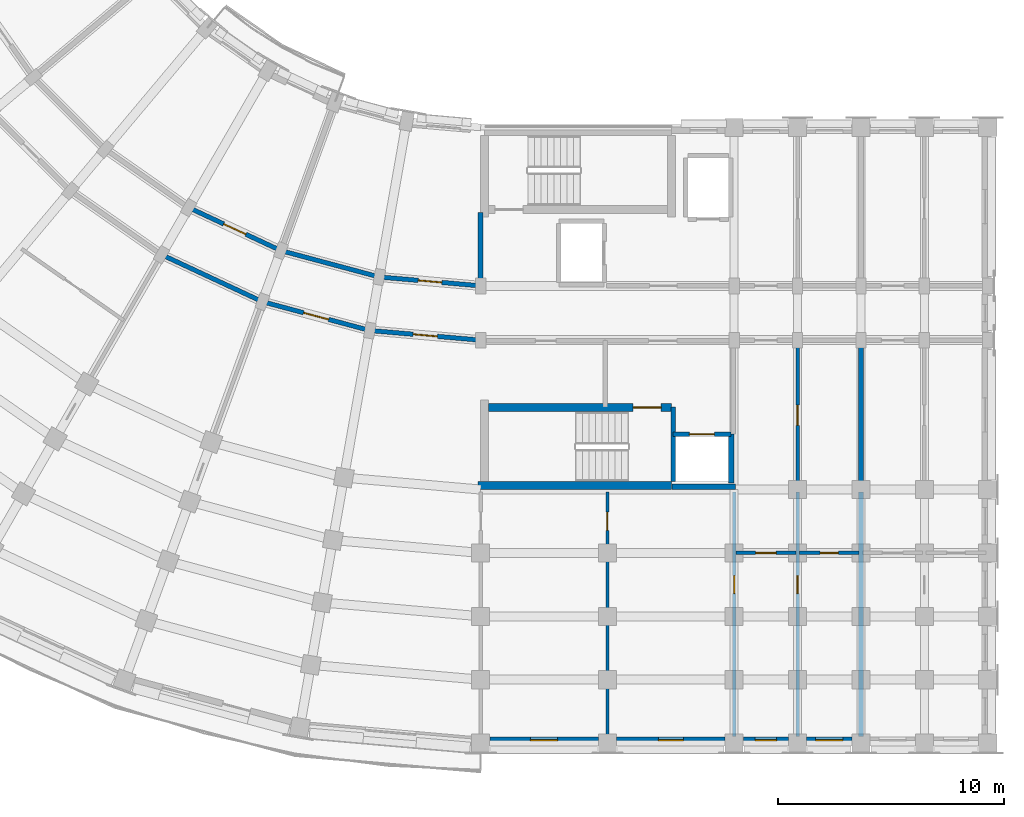
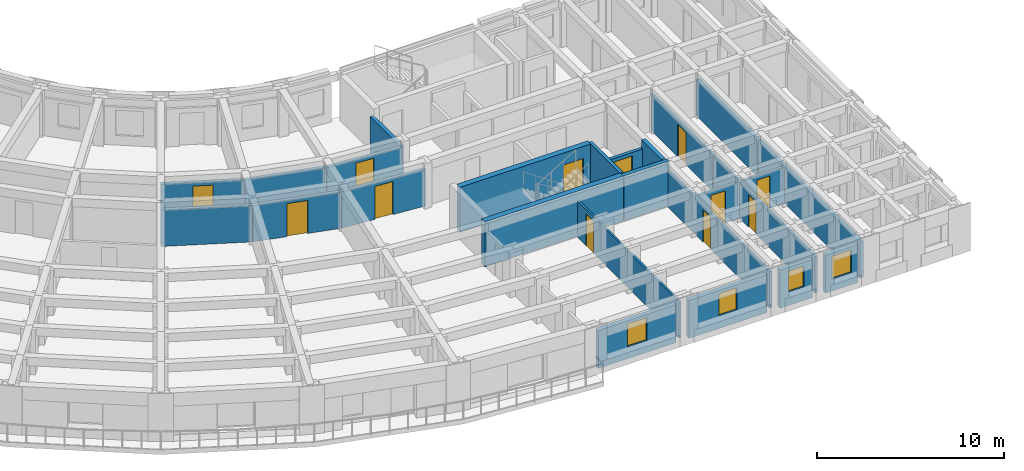
# One storey, part 16 of 54: 25 walls, 12 doors, 4 windows, 16 openings.
"""IFC4 building model written with IfcOpenShell, lengths in metres."""

from ifc_helpers import new_model, si_unit, direction, frame, frame_2d, origin, place, context, subcontext, project, spatial, rectangle, extrude, material, layer, layer_set, type_object, element, fill, save


model = new_model("IFC4")

# Units and contexts
model_context = context("Model", 3, precision=1e-05, world=origin(), true_north=direction((0.0, 1.0)))
body_context = subcontext(model_context, "Body", "Model", "MODEL_VIEW")
ifc_project = project(units=[si_unit("LENGTHUNIT", "METRE"), si_unit("AREAUNIT", "SQUARE_METRE"), si_unit("VOLUMEUNIT", "CUBIC_METRE"), si_unit("PLANEANGLEUNIT", "RADIAN"), si_unit("MASSUNIT", "GRAM", prefix="KILO")], contexts=[model_context])

# Site, building, storey
site_placement = place(None, origin())
site = spatial("IfcSite", under=ifc_project, at=site_placement, CompositionType="ELEMENT")
building_placement = place(site_placement, origin())
building = spatial("IfcBuilding", under=site, at=building_placement, Name="Kiranvali Square Residences", CompositionType="ELEMENT")
storey_placement = place(building_placement, frame((0.0, 0.0, 15.0)))
storey = spatial("IfcBuildingStorey", under=building, at=storey_placement, Name="L04", CompositionType="ELEMENT", Elevation=15.0)

# Wall, opening, door
ifc_material_1 = material(Name="Autoclaved aerated concrete blockwork masonry", Category="masonry")
ifc_layer_1 = layer(ifc_material_1, 0.199951171875)
ifc_layer_set_1 = layer_set([ifc_layer_1], Name="Autoclaved aerated concrete blockwork masonry")
wall_type_1 = type_object("IfcWallType", Name="WL-COR-200", PredefinedType="STANDARD", material=ifc_layer_set_1)
wall_1_placement = place(storey_placement, frame((48.199951171875, 22.39990234375, 0.0), z_axis=(0.0, 0.0, 1.0), x_axis=(-0.996191949488, 0.087187153726, 0.0)))
wall_1 = element("IfcWall", 1, at=wall_1_placement, inside=storey, type_object=wall_type_1, Name="L04 architectural wall WL-L04-C-CCI-0", PredefinedType="STANDARD", context=body_context, shape_type="SweptSolid", body=[
    extrude(rectangle(XDim=4.4970703125, YDim=0.199951171875, at=frame_2d((2.24853515625, 0.0))), origin(), (0.0, 0.0, 1.0), 2.3720703125),
])
opening_1_placement = place(wall_1_placement, frame((1.728515625, 0.0, 0.0)))
opening_1 = element("IfcOpeningElement", 2, at=opening_1_placement, cuts=wall_1, Name="Opening FD-APT-60B", PredefinedType="OPENING", context=body_context, shape_type="SweptSolid", body=[
    extrude(rectangle(XDim=1.0400390625, YDim=2.14990234375, at=frame_2d((0.52001953125, 1.074951171875))), frame((0.0, 0.10986328125, 0.0), z_axis=(0.0, -1.0, 0.0), x_axis=(1.0, 0.0, 0.0)), (0.0, 0.0, 1.0), 0.219970703125),
])
ifc_material_2 = material(Name="Fire-rated acoustic hardwood and mineral-core door assembly", Category="wood")
door_type_1 = type_object("IfcDoorType", Name="DR-APT-1040", OperationType="NOTDEFINED", PredefinedType="DOOR", material=ifc_material_2)
door_1_placement = place(opening_1_placement, frame((1.0400390625, 0.0, 0.0), z_axis=(0.0, 0.0, 1.0), x_axis=(-1.0, 0.0, 0.0)))
door_1 = element("IfcDoor", 3, at=door_1_placement, inside=storey, type_object=door_type_1, Name="L04 door DR-L04-2006 (DR-APT-1040)", OperationType="SINGLE_SWING_RIGHT", OverallHeight=2.14990234375, OverallWidth=1.0400390625, PredefinedType="DOOR", context=body_context, shape_type="SweptSolid", body=[
    extrude(rectangle(XDim=1.0400390625, YDim=2.14990234375, at=frame_2d((0.52001953125, 1.074951171875))), frame((0.0, 0.02490234375, 0.0), z_axis=(0.0, -1.0, 0.0), x_axis=(1.0, 0.0, 0.0)), (0.0, 0.0, 1.0), 0.050048828125),
])
fill(opening_1, door_1)

wall_2_placement = place(storey_placement, frame((48.199951171875, 20.0, 0.0), z_axis=(0.0, 0.0, 1.0), x_axis=(-0.996193663584, 0.087167566415, 0.0)))
wall_2 = element("IfcWall", 4, at=wall_2_placement, inside=storey, type_object=wall_type_1, Name="L04 architectural wall WL-L04-C-CCO-0", PredefinedType="STANDARD", context=body_context, shape_type="SweptSolid", body=[
    extrude(rectangle(XDim=4.91552734375, YDim=0.199951171875, at=frame_2d((2.457763671875, 0.0))), origin(), (0.0, 0.0, 1.0), 2.3720703125),
])
opening_2_placement = place(wall_2_placement, frame((1.917724609375, 0.0, 0.0)))
opening_2 = element("IfcOpeningElement", 5, at=opening_2_placement, cuts=wall_2, Name="Opening FD-APT-60C", PredefinedType="OPENING", context=body_context, shape_type="SweptSolid", body=[
    extrude(rectangle(XDim=1.080078125, YDim=2.14990234375, at=frame_2d((0.5400390625, 1.074951171875))), frame((0.0, 0.10986328125, 0.0), z_axis=(0.0, -1.0, 0.0), x_axis=(1.0, 0.0, 0.0)), (0.0, 0.0, 1.0), 0.219970703125),
])
door_type_2 = type_object("IfcDoorType", Name="DR-APT-1080", OperationType="NOTDEFINED", PredefinedType="DOOR", material=ifc_material_2)
door_2_placement = place(opening_2_placement, origin())
door_2 = element("IfcDoor", 6, at=door_2_placement, inside=storey, type_object=door_type_2, Name="L04 door DR-L04-1999 (DR-APT-1080)", OperationType="SINGLE_SWING_LEFT", OverallHeight=2.14990234375, OverallWidth=1.080078125, PredefinedType="DOOR", context=body_context, shape_type="SweptSolid", body=[
    extrude(rectangle(XDim=1.080078125, YDim=2.14990234375, at=frame_2d((0.5400390625, 1.074951171875))), frame((0.0, 0.02490234375, 0.0), z_axis=(0.0, -1.0, 0.0), x_axis=(1.0, 0.0, 0.0)), (0.0, 0.0, 1.0), 0.050048828125),
])
fill(opening_2, door_2)

# Wall
wall_3_placement = place(storey_placement, frame((43.719970703125, 22.7919921875, 0.0), z_axis=(0.0, 0.0, 1.0), x_axis=(-0.965934240054, 0.258787642463, 0.0)))
element("IfcWall", 7, at=wall_3_placement, inside=storey, type_object=wall_type_1, Name="L04 architectural wall WL-L04-C-CCI-1", PredefinedType="STANDARD", context=body_context, shape_type="SweptSolid", body=[
    extrude(rectangle(XDim=4.497314453125, YDim=0.199951171875, at=frame_2d((2.24853515625, 0.0))), origin(), (0.0, 0.0, 1.0), 2.3720703125),
])

# Wall, opening, door
wall_4_placement = place(storey_placement, frame((43.30322265625, 20.428466796875, 0.0), z_axis=(0.0, 0.0, 1.0), x_axis=(-0.965930095386, 0.258803112091, 0.0)))
wall_4 = element("IfcWall", 8, at=wall_4_placement, inside=storey, type_object=wall_type_1, Name="L04 architectural wall WL-L04-C-CCO-1", PredefinedType="STANDARD", context=body_context, shape_type="SweptSolid", body=[
    extrude(rectangle(XDim=4.915771484375, YDim=0.199951171875, at=frame_2d((2.4580078125, 0.0))), origin(), (0.0, 0.0, 1.0), 2.3720703125),
])
opening_3_placement = place(wall_4_placement, frame((1.8876953125, 0.0, 0.0)))
opening_3 = element("IfcOpeningElement", 9, at=opening_3_placement, cuts=wall_4, Name="Opening FD-APT-60D", PredefinedType="OPENING", context=body_context, shape_type="SweptSolid", body=[
    extrude(rectangle(XDim=1.139892578125, YDim=2.14990234375, at=frame_2d((0.56982421875, 1.074951171875))), frame((0.0, 0.10986328125, 0.0), z_axis=(0.0, -1.0, 0.0), x_axis=(1.0, 0.0, 0.0)), (0.0, 0.0, 1.0), 0.219970703125),
])
door_type_3 = type_object("IfcDoorType", Name="DR-APT-1140", OperationType="NOTDEFINED", PredefinedType="DOOR", material=ifc_material_2)
door_3_placement = place(opening_3_placement, frame((1.139892578125, 0.0, 0.0), z_axis=(0.0, 0.0, 1.0), x_axis=(-1.0, 0.0, 0.0)))
door_3 = element("IfcDoor", 10, at=door_3_placement, inside=storey, type_object=door_type_3, Name="L04 door DR-L04-2000 (DR-APT-1140)", OperationType="SINGLE_SWING_RIGHT", OverallHeight=2.14990234375, OverallWidth=1.139892578125, PredefinedType="DOOR", context=body_context, shape_type="SweptSolid", body=[
    extrude(rectangle(XDim=1.139892578125, YDim=2.14990234375, at=frame_2d((0.56982421875, 1.074951171875))), frame((0.0, 0.02490234375, 0.0), z_axis=(0.0, -1.0, 0.0), x_axis=(1.0, 0.0, 0.0)), (0.0, 0.0, 1.0), 0.050048828125),
])
fill(opening_3, door_3)

wall_5_placement = place(storey_placement, frame((39.3759765625, 23.955810546875, 0.0), z_axis=(0.0, 0.0, 1.0), x_axis=(-0.906307919131, 0.422617978463, 0.0)))
wall_5 = element("IfcWall", 11, at=wall_5_placement, inside=storey, type_object=wall_type_1, Name="L04 architectural wall WL-L04-C-CCI-2", PredefinedType="STANDARD", context=body_context, shape_type="SweptSolid", body=[
    extrude(rectangle(XDim=4.497314453125, YDim=0.199951171875, at=frame_2d((2.24853515625, 0.0))), origin(), (0.0, 0.0, 1.0), 2.3720703125),
])
opening_4_placement = place(wall_5_placement, frame((1.708740234375, 0.0, 0.0)))
opening_4 = element("IfcOpeningElement", 12, at=opening_4_placement, cuts=wall_5, Name="Opening FD-APT-60C", PredefinedType="OPENING", context=body_context, shape_type="SweptSolid", body=[
    extrude(rectangle(XDim=1.080078125, YDim=2.14990234375, at=frame_2d((0.5400390625, 1.074951171875))), frame((0.0, 0.10986328125, 0.0), z_axis=(0.0, -1.0, 0.0), x_axis=(1.0, 0.0, 0.0)), (0.0, 0.0, 1.0), 0.219970703125),
])
door_4_placement = place(opening_4_placement, origin())
door_4 = element("IfcDoor", 13, at=door_4_placement, inside=storey, type_object=door_type_2, Name="L04 door DR-L04-2007 (DR-APT-1080)", OperationType="SINGLE_SWING_LEFT", OverallHeight=2.14990234375, OverallWidth=1.080078125, PredefinedType="DOOR", context=body_context, shape_type="SweptSolid", body=[
    extrude(rectangle(XDim=1.080078125, YDim=2.14990234375, at=frame_2d((0.5400390625, 1.074951171875))), frame((0.0, 0.02490234375, 0.0), z_axis=(0.0, -1.0, 0.0), x_axis=(1.0, 0.0, 0.0)), (0.0, 0.0, 1.0), 0.050048828125),
])
fill(opening_4, door_4)

# Walls
wall_6_placement = place(storey_placement, frame((38.554931640625, 21.70068359375, 0.0), z_axis=(0.0, 0.0, 1.0), x_axis=(-0.906302381024, 0.422629854778, 0.0)))
element("IfcWall", 14, at=wall_6_placement, inside=storey, type_object=wall_type_1, Name="L04 architectural wall WL-L04-C-CCO-2", PredefinedType="STANDARD", context=body_context, shape_type="SweptSolid", body=[
    extrude(rectangle(XDim=4.915283203125, YDim=0.199951171875, at=frame_2d((2.45751953125, 0.0))), origin(), (0.0, 0.0, 1.0), 2.3720703125),
])
ifc_layer_2 = layer(ifc_material_1, 0.219970703125)
ifc_layer_set_2 = layer_set([ifc_layer_2], Name="Autoclaved aerated concrete blockwork masonry")
wall_type_2 = type_object("IfcWallType", Name="WL-DEM-220", PredefinedType="STANDARD", material=ifc_layer_set_2)
wall_7_placement = place(storey_placement, frame((65.0, 19.949951171875, 0.0), z_axis=(0.0, 0.0, 1.0), x_axis=(0.0, -1.0, 0.0)))
element("IfcWall", 15, at=wall_7_placement, inside=storey, type_object=wall_type_2, Name="L04 architectural wall WL-L04-C-A1TO1-2", PredefinedType="STANDARD", context=body_context, shape_type="SweptSolid", body=[
    extrude(rectangle(XDim=6.530029296875, YDim=0.219970703125, at=frame_2d((3.26513671875, 0.0))), origin(), (0.0, 0.0, 1.0), 2.3720703125),
])
wall_8_placement = place(storey_placement, frame((65.0, 13.300048828125, 0.0), z_axis=(0.0, 0.0, 1.0), x_axis=(0.0, -1.0, 0.0)))
element("IfcWall", 16, at=wall_8_placement, inside=storey, type_object=wall_type_2, Name="L04 architectural wall WL-L04-C-A1TO2-2", PredefinedType="STANDARD", context=body_context, shape_type="SweptSolid", body=[
    extrude(rectangle(XDim=10.820068359375, YDim=0.219970703125, at=frame_2d((5.41015625, 0.0))), origin(), (0.0, 0.0, 1.0), 2.3720703125),
])
wall_9_placement = place(storey_placement, frame((48.199951171875, 25.64990234375, 0.0), z_axis=(0.0, 0.0, 1.0), x_axis=(0.0, -1.0, 0.0)))
element("IfcWall", 17, at=wall_9_placement, inside=storey, type_object=wall_type_2, Name="L04 architectural wall WL-L04-C-RADI-0", PredefinedType="STANDARD", context=body_context, shape_type="SweptSolid", body=[
    extrude(rectangle(XDim=3.199951171875, YDim=0.219970703125, at=frame_2d((1.60009765625, 0.0))), origin(), (0.0, 0.0, 1.0), 2.3720703125),
])

# Wall, opening, window
ifc_material_3 = material(Name="Breathable lime-rendered clay brick masonry", Category="masonry")
ifc_layer_3 = layer(ifc_material_3, 0.27490234375)
ifc_layer_set_3 = layer_set([ifc_layer_3], Name="Breathable lime-rendered clay brick masonry")
wall_type_3 = type_object("IfcWallType", Name="WL-EXT-275", PredefinedType="STANDARD", material=ifc_layer_set_3)
wall_10_placement = place(storey_placement, frame((48.603515625, 2.324951171875, 0.0), z_axis=(0.0, 0.0, 1.0), x_axis=(1.0, 0.0, 0.0)))
wall_10 = element("IfcWall", 18, at=wall_10_placement, inside=storey, type_object=wall_type_3, Name="L04 exterior wall C-L04-A1O-0", PredefinedType="STANDARD", context=body_context, shape_type="SweptSolid", body=[
    extrude(rectangle(XDim=4.79296875, YDim=0.27490234375, at=frame_2d((2.396484375, 0.0))), origin(), (0.0, 0.0, 1.0), 2.471923828125),
])
opening_5_placement = place(wall_10_placement, frame((1.79638671875, 0.0, 0.77197265625)))
opening_5 = element("IfcOpeningElement", 19, at=opening_5_placement, cuts=wall_10, Name="Opening W-06", PredefinedType="OPENING", context=body_context, shape_type="SweptSolid", body=[
    extrude(rectangle(XDim=1.199951171875, YDim=1.5, at=frame_2d((0.60009765625, 0.75))), frame((0.0, 0.1474609375, 0.0), z_axis=(0.0, -1.0, 0.0), x_axis=(1.0, 0.0, 0.0)), (0.0, 0.0, 1.0), 0.294921875),
])
ifc_material_4 = material(Name="Solar-control low-e double glazing", Category="glass")
window_type_1 = type_object("IfcWindowType", Name="WIN-RES-1200x1500", PartitioningType="SINGLE_PANEL", PredefinedType="WINDOW", material=ifc_material_4)
window_1_placement = place(opening_5_placement, origin())
window_1 = element("IfcWindow", 20, at=window_1_placement, inside=storey, type_object=window_type_1, Name="L04 recessed window C-L04-A1O-0", OverallHeight=1.5, OverallWidth=1.199951171875, PartitioningType="SINGLE_PANEL", PredefinedType="WINDOW", context=body_context, shape_type="SweptSolid", body=[
    extrude(rectangle(XDim=1.199951171875, YDim=1.5, at=frame_2d((0.60009765625, 0.75))), frame((0.0, 0.030029296875, 0.0), z_axis=(0.0, -1.0, 0.0), x_axis=(1.0, 0.0, 0.0)), (0.0, 0.0, 1.0), 0.06005859375),
])
fill(opening_5, window_1)

wall_11_placement = place(storey_placement, frame((54.20361328125, 2.324951171875, 0.0), z_axis=(0.0, 0.0, 1.0), x_axis=(1.0, 0.0, 0.0)))
wall_11 = element("IfcWall", 21, at=wall_11_placement, inside=storey, type_object=wall_type_3, Name="L04 exterior wall C-L04-A1O-1", PredefinedType="STANDARD", context=body_context, shape_type="SweptSolid", body=[
    extrude(rectangle(XDim=4.79296875, YDim=0.27490234375, at=frame_2d((2.396484375, 0.0))), origin(), (0.0, 0.0, 1.0), 2.471923828125),
])
opening_6_placement = place(wall_11_placement, frame((1.846435546875, 0.0, 0.822021484375)))
opening_6 = element("IfcOpeningElement", 22, at=opening_6_placement, cuts=wall_11, Name="Opening W-15", PredefinedType="OPENING", context=body_context, shape_type="SweptSolid", body=[
    extrude(rectangle(XDim=1.10009765625, YDim=1.449951171875, at=frame_2d((0.550048828125, 0.72509765625))), frame((0.0, 0.1474609375, 0.0), z_axis=(0.0, -1.0, 0.0), x_axis=(1.0, 0.0, 0.0)), (0.0, 0.0, 1.0), 0.294921875),
])
window_type_2 = type_object("IfcWindowType", Name="WIN-RES-1100x1450", PartitioningType="SINGLE_PANEL", PredefinedType="WINDOW", material=ifc_material_4)
window_2_placement = place(opening_6_placement, origin())
window_2 = element("IfcWindow", 23, at=window_2_placement, inside=storey, type_object=window_type_2, Name="L04 recessed window C-L04-A1O-1", OverallHeight=1.449951171875, OverallWidth=1.10009765625, PartitioningType="SINGLE_PANEL", PredefinedType="WINDOW", context=body_context, shape_type="SweptSolid", body=[
    extrude(rectangle(XDim=1.10009765625, YDim=1.449951171875, at=frame_2d((0.550048828125, 0.72509765625))), frame((0.0, 0.030029296875, 0.0), z_axis=(0.0, -1.0, 0.0), x_axis=(1.0, 0.0, 0.0)), (0.0, 0.0, 1.0), 0.06005859375),
])
fill(opening_6, window_2)

wall_12_placement = place(storey_placement, frame((59.803466796875, 2.324951171875, 0.0), z_axis=(0.0, 0.0, 1.0), x_axis=(1.0, 0.0, 0.0)))
wall_12 = element("IfcWall", 24, at=wall_12_placement, inside=storey, type_object=wall_type_3, Name="L04 exterior wall C-L04-A1O-2", PredefinedType="STANDARD", context=body_context, shape_type="SweptSolid", body=[
    extrude(rectangle(XDim=1.992919921875, YDim=0.27490234375, at=frame_2d((0.99658203125, 0.0))), origin(), (0.0, 0.0, 1.0), 2.471923828125),
])
opening_7_placement = place(wall_12_placement, frame((0.521484375, 0.0, 0.8798828125)))
opening_7 = element("IfcOpeningElement", 25, at=opening_7_placement, cuts=wall_12, Name="Opening W-16", PredefinedType="OPENING", context=body_context, shape_type="SweptSolid", body=[
    extrude(rectangle(XDim=0.949951171875, YDim=1.35009765625, at=frame_2d((0.47509765625, 0.675048828125))), frame((0.0, 0.1474609375, 0.0), z_axis=(0.0, -1.0, 0.0), x_axis=(1.0, 0.0, 0.0)), (0.0, 0.0, 1.0), 0.294921875),
])
window_type_3 = type_object("IfcWindowType", Name="WIN-RES-950x1350", PartitioningType="SINGLE_PANEL", PredefinedType="WINDOW", material=ifc_material_4)
window_3_placement = place(opening_7_placement, origin())
window_3 = element("IfcWindow", 26, at=window_3_placement, inside=storey, type_object=window_type_3, Name="L04 recessed window C-L04-A1O-2", OverallHeight=1.35009765625, OverallWidth=0.949951171875, PartitioningType="SINGLE_PANEL", PredefinedType="WINDOW", context=body_context, shape_type="SweptSolid", body=[
    extrude(rectangle(XDim=0.949951171875, YDim=1.35009765625, at=frame_2d((0.47509765625, 0.675048828125))), frame((0.0, 0.030029296875, 0.0), z_axis=(0.0, -1.0, 0.0), x_axis=(1.0, 0.0, 0.0)), (0.0, 0.0, 1.0), 0.06005859375),
])
fill(opening_7, window_3)

wall_13_placement = place(storey_placement, frame((62.603515625, 2.324951171875, 0.0), z_axis=(0.0, 0.0, 1.0), x_axis=(1.0, 0.0, 0.0)))
wall_13 = element("IfcWall", 27, at=wall_13_placement, inside=storey, type_object=wall_type_3, Name="L04 exterior wall C-L04-A1O-3", PredefinedType="STANDARD", context=body_context, shape_type="SweptSolid", body=[
    extrude(rectangle(XDim=1.992919921875, YDim=0.27490234375, at=frame_2d((0.99658203125, 0.0))), origin(), (0.0, 0.0, 1.0), 2.471923828125),
])
opening_8_placement = place(wall_13_placement, frame((0.396484375, 0.0, 0.77197265625)))
opening_8 = element("IfcOpeningElement", 28, at=opening_8_placement, cuts=wall_13, Name="Opening W-06", PredefinedType="OPENING", context=body_context, shape_type="SweptSolid", body=[
    extrude(rectangle(XDim=1.199951171875, YDim=1.5, at=frame_2d((0.60009765625, 0.75))), frame((0.0, 0.1474609375, 0.0), z_axis=(0.0, -1.0, 0.0), x_axis=(1.0, 0.0, 0.0)), (0.0, 0.0, 1.0), 0.294921875),
])
window_4_placement = place(opening_8_placement, origin())
window_4 = element("IfcWindow", 29, at=window_4_placement, inside=storey, type_object=window_type_1, Name="L04 recessed window C-L04-A1O-3", OverallHeight=1.5, OverallWidth=1.199951171875, PartitioningType="SINGLE_PANEL", PredefinedType="WINDOW", context=body_context, shape_type="SweptSolid", body=[
    extrude(rectangle(XDim=1.199951171875, YDim=1.5, at=frame_2d((0.60009765625, 0.75))), frame((0.0, 0.030029296875, 0.0), z_axis=(0.0, -1.0, 0.0), x_axis=(1.0, 0.0, 0.0)), (0.0, 0.0, 1.0), 0.06005859375),
])
fill(opening_8, window_4)

# Wall, opening, door
ifc_layer_4 = layer(ifc_material_1, 0.199951171875)
ifc_layer_set_4 = layer_set([ifc_layer_4], Name="Autoclaved aerated concrete blockwork masonry")
wall_type_4 = type_object("IfcWallType", Name="WL-FFL-200", PredefinedType="STANDARD", material=ifc_layer_set_4)
wall_14_placement = place(storey_placement, frame((56.699951171875, 15.85009765625, 0.0), z_axis=(0.0, 0.0, 1.0), x_axis=(1.0, 0.0, 0.0)))
wall_14 = element("IfcWall", 30, at=wall_14_placement, inside=storey, type_object=wall_type_4, Name="L04 architectural wall WL-L04-C-FF-LFT", PredefinedType="STANDARD", context=body_context, shape_type="SweptSolid", body=[
    extrude(rectangle(XDim=2.550048828125, YDim=0.199951171875, at=frame_2d((1.27490234375, 0.0))), origin(), (0.0, 0.0, 1.0), 2.3720703125),
])
opening_9_placement = place(wall_14_placement, frame((0.72509765625, 0.0, 0.0)))
opening_9 = element("IfcOpeningElement", 31, at=opening_9_placement, cuts=wall_14, Name="Opening LD-FF-110", PredefinedType="OPENING", context=body_context, shape_type="SweptSolid", body=[
    extrude(rectangle(XDim=1.10009765625, YDim=2.14990234375, at=frame_2d((0.550048828125, 1.074951171875))), frame((0.0, 0.10986328125, 0.0), z_axis=(0.0, -1.0, 0.0), x_axis=(1.0, 0.0, 0.0)), (0.0, 0.0, 1.0), 0.219970703125),
])
door_type_4 = type_object("IfcDoorType", Name="DR-LIFT-FF-1100", OperationType="SLIDING_TO_LEFT", PredefinedType="DOOR", material=ifc_material_2)
door_5_placement = place(opening_9_placement, origin())
door_5 = element("IfcDoor", 32, at=door_5_placement, inside=storey, type_object=door_type_4, Name="L04 door DR-L04-1968 (DR-LIFT-FF-1100)", OperationType="SLIDING_TO_LEFT", OverallHeight=2.14990234375, OverallWidth=1.10009765625, PredefinedType="DOOR", context=body_context, shape_type="SweptSolid", body=[
    extrude(rectangle(XDim=1.10009765625, YDim=2.14990234375, at=frame_2d((0.550048828125, 1.074951171875))), frame((0.0, 0.02490234375, 0.0), z_axis=(0.0, -1.0, 0.0), x_axis=(1.0, 0.0, 0.0)), (0.0, 0.0, 1.0), 0.050048828125),
])
fill(opening_9, door_5)

ifc_material_5 = material(Name="Acoustic gypsum board drylined partition", Category="gypsum")
ifc_layer_5 = layer(ifc_material_5, 0.125)
ifc_layer_set_5 = layer_set([ifc_layer_5], Name="Acoustic gypsum board drylined partition")
wall_type_5 = type_object("IfcWallType", Name="WL-PRT-125", PredefinedType="PARTITIONING", material=ifc_layer_set_5)
wall_15_placement = place(storey_placement, frame((53.800048828125, 13.300048828125, 0.0), z_axis=(0.0, 0.0, 1.0), x_axis=(0.0, -1.0, 0.0)))
wall_15 = element("IfcWall", 33, at=wall_15_placement, inside=storey, type_object=wall_type_5, Name="L04 architectural wall WL-L04-C-CF-MID", PredefinedType="PARTITIONING", context=body_context, shape_type="SweptSolid", body=[
    extrude(rectangle(XDim=10.820068359375, YDim=0.125, at=frame_2d((5.41015625, 0.0))), origin(), (0.0, 0.0, 1.0), 2.3720703125),
])
opening_10_placement = place(wall_15_placement, frame((0.8994140625, 0.0, 0.0)))
opening_10 = element("IfcOpeningElement", 34, at=opening_10_placement, cuts=wall_15, Name="Opening ID-WET", PredefinedType="OPENING", context=body_context, shape_type="SweptSolid", body=[
    extrude(rectangle(XDim=0.800048828125, YDim=2.10009765625, at=frame_2d((0.39990234375, 1.050048828125))), frame((0.0, 0.072509765625, 0.0), z_axis=(0.0, -1.0, 0.0), x_axis=(1.0, 0.0, 0.0)), (0.0, 0.0, 1.0), 0.14501953125),
])
ifc_material_6 = material(Name="Solid seasoned teak hardwood joinery", Category="wood")
door_type_5 = type_object("IfcDoorType", Name="DR-WET-800", OperationType="NOTDEFINED", PredefinedType="DOOR", material=ifc_material_6)
door_6_placement = place(opening_10_placement, origin())
door_6 = element("IfcDoor", 35, at=door_6_placement, inside=storey, type_object=door_type_5, Name="L04 door DR-L04-1977 (DR-WET-800)", OperationType="SINGLE_SWING_LEFT", OverallHeight=2.10009765625, OverallWidth=0.800048828125, PredefinedType="DOOR", context=body_context, shape_type="SweptSolid", body=[
    extrude(rectangle(XDim=0.800048828125, YDim=2.10009765625, at=frame_2d((0.39990234375, 1.050048828125))), frame((0.0, 0.02490234375, 0.0), z_axis=(0.0, -1.0, 0.0), x_axis=(1.0, 0.0, 0.0)), (0.0, 0.0, 1.0), 0.050048828125),
])
fill(opening_10, door_6)

ifc_layer_6 = layer(ifc_material_5, 0.14990234375)
ifc_layer_set_6 = layer_set([ifc_layer_6], Name="Acoustic gypsum board drylined partition")
wall_type_6 = type_object("IfcWallType", Name="WL-PRT-150", PredefinedType="PARTITIONING", material=ifc_layer_set_6)
wall_16_placement = place(storey_placement, frame((59.39990234375, 13.300048828125, 0.0), z_axis=(0.0, 0.0, 1.0), x_axis=(0.0, -1.0, 0.0)))
wall_16 = element("IfcWall", 36, at=wall_16_placement, inside=storey, type_object=wall_type_6, Name="L04 architectural wall WL-L04-C-A1TO2-0", PredefinedType="PARTITIONING", context=body_context, shape_type="SweptSolid", body=[
    extrude(rectangle(XDim=10.820068359375, YDim=0.14990234375, at=frame_2d((5.41015625, 0.0))), origin(), (0.0, 0.0, 1.0), 2.3720703125),
])
opening_11_placement = place(wall_16_placement, frame((3.69970703125, 0.0, 0.0)))
opening_11 = element("IfcOpeningElement", 37, at=opening_11_placement, cuts=wall_16, Name="Opening ID-WET", PredefinedType="OPENING", context=body_context, shape_type="SweptSolid", body=[
    extrude(rectangle(XDim=0.800048828125, YDim=2.10009765625, at=frame_2d((0.39990234375, 1.050048828125))), frame((0.0, 0.0849609375, 0.0), z_axis=(0.0, -1.0, 0.0), x_axis=(1.0, 0.0, 0.0)), (0.0, 0.0, 1.0), 0.169921875),
])
door_7_placement = place(opening_11_placement, frame((0.800048828125, 0.0, 0.0), z_axis=(0.0, 0.0, 1.0), x_axis=(-1.0, 0.0, 0.0)))
door_7 = element("IfcDoor", 38, at=door_7_placement, inside=storey, type_object=door_type_5, Name="L04 door DR-L04-1986 (DR-WET-800)", OperationType="SINGLE_SWING_RIGHT", OverallHeight=2.10009765625, OverallWidth=0.800048828125, PredefinedType="DOOR", context=body_context, shape_type="SweptSolid", body=[
    extrude(rectangle(XDim=0.800048828125, YDim=2.10009765625, at=frame_2d((0.39990234375, 1.050048828125))), frame((0.0, 0.02490234375, 0.0), z_axis=(0.0, -1.0, 0.0), x_axis=(1.0, 0.0, 0.0)), (0.0, 0.0, 1.0), 0.050048828125),
])
fill(opening_11, door_7)

wall_17_placement = place(storey_placement, frame((62.199951171875, 19.949951171875, 0.0), z_axis=(0.0, 0.0, 1.0), x_axis=(0.0, -1.0, 0.0)))
wall_17 = element("IfcWall", 39, at=wall_17_placement, inside=storey, type_object=wall_type_6, Name="L04 architectural wall WL-L04-C-A1TO1-1", PredefinedType="PARTITIONING", context=body_context, shape_type="SweptSolid", body=[
    extrude(rectangle(XDim=6.530029296875, YDim=0.14990234375, at=frame_2d((3.26513671875, 0.0))), origin(), (0.0, 0.0, 1.0), 2.3720703125),
])
opening_12_placement = place(wall_17_placement, frame((2.81494140625, 0.0, 0.0)))
opening_12 = element("IfcOpeningElement", 40, at=opening_12_placement, cuts=wall_17, Name="Opening ID-1", PredefinedType="OPENING", context=body_context, shape_type="SweptSolid", body=[
    extrude(rectangle(XDim=0.89990234375, YDim=2.10009765625, at=frame_2d((0.449951171875, 1.050048828125))), frame((0.0, 0.0849609375, 0.0), z_axis=(0.0, -1.0, 0.0), x_axis=(1.0, 0.0, 0.0)), (0.0, 0.0, 1.0), 0.169921875),
])
door_type_6 = type_object("IfcDoorType", Name="DR-INT-900", OperationType="NOTDEFINED", PredefinedType="DOOR", material=ifc_material_6)
door_8_placement = place(opening_12_placement, frame((0.89990234375, 0.0, 0.0), z_axis=(0.0, 0.0, 1.0), x_axis=(-1.0, 0.0, 0.0)))
door_8 = element("IfcDoor", 41, at=door_8_placement, inside=storey, type_object=door_type_6, Name="L04 door DR-L04-1988 (DR-INT-900)", OperationType="SINGLE_SWING_RIGHT", OverallHeight=2.10009765625, OverallWidth=0.89990234375, PredefinedType="DOOR", context=body_context, shape_type="SweptSolid", body=[
    extrude(rectangle(XDim=0.89990234375, YDim=2.10009765625, at=frame_2d((0.449951171875, 1.050048828125))), frame((0.0, 0.02490234375, 0.0), z_axis=(0.0, -1.0, 0.0), x_axis=(1.0, 0.0, 0.0)), (0.0, 0.0, 1.0), 0.050048828125),
])
fill(opening_12, door_8)

wall_18_placement = place(storey_placement, frame((62.199951171875, 13.300048828125, 0.0), z_axis=(0.0, 0.0, 1.0), x_axis=(0.0, -1.0, 0.0)))
wall_18 = element("IfcWall", 42, at=wall_18_placement, inside=storey, type_object=wall_type_6, Name="L04 architectural wall WL-L04-C-A1TO2-1", PredefinedType="PARTITIONING", context=body_context, shape_type="SweptSolid", body=[
    extrude(rectangle(XDim=10.820068359375, YDim=0.14990234375, at=frame_2d((5.41015625, 0.0))), origin(), (0.0, 0.0, 1.0), 2.3720703125),
])
opening_13_placement = place(wall_18_placement, frame((3.69970703125, 0.0, 0.0)))
opening_13 = element("IfcOpeningElement", 43, at=opening_13_placement, cuts=wall_18, Name="Opening ID-WET", PredefinedType="OPENING", context=body_context, shape_type="SweptSolid", body=[
    extrude(rectangle(XDim=0.800048828125, YDim=2.10009765625, at=frame_2d((0.39990234375, 1.050048828125))), frame((0.0, 0.0849609375, 0.0), z_axis=(0.0, -1.0, 0.0), x_axis=(1.0, 0.0, 0.0)), (0.0, 0.0, 1.0), 0.169921875),
])
door_9_placement = place(opening_13_placement, origin())
door_9 = element("IfcDoor", 44, at=door_9_placement, inside=storey, type_object=door_type_5, Name="L04 door DR-L04-1989 (DR-WET-800)", OperationType="SINGLE_SWING_LEFT", OverallHeight=2.10009765625, OverallWidth=0.800048828125, PredefinedType="DOOR", context=body_context, shape_type="SweptSolid", body=[
    extrude(rectangle(XDim=0.800048828125, YDim=2.10009765625, at=frame_2d((0.39990234375, 1.050048828125))), frame((0.0, 0.02490234375, 0.0), z_axis=(0.0, -1.0, 0.0), x_axis=(1.0, 0.0, 0.0)), (0.0, 0.0, 1.0), 0.050048828125),
])
fill(opening_13, door_9)

# Walls
ifc_layer_7 = layer(ifc_material_1, 0.199951171875)
ifc_layer_set_7 = layer_set([ifc_layer_7], Name="Autoclaved aerated concrete blockwork masonry")
wall_type_7 = type_object("IfcWallType", Name="WL-SHF-200", PredefinedType="STANDARD", material=ifc_layer_set_7)
wall_19_placement = place(storey_placement, frame((56.699951171875, 17.050048828125, 0.0), z_axis=(0.0, 0.0, 1.0), x_axis=(0.0, -1.0, 0.0)))
element("IfcWall", 45, at=wall_19_placement, inside=storey, type_object=wall_type_7, Name="L04 architectural wall WL-L04-C-FF-SHF", PredefinedType="STANDARD", context=body_context, shape_type="SweptSolid", body=[
    extrude(rectangle(XDim=3.300048828125, YDim=0.199951171875, at=frame_2d((1.64990234375, 0.0))), origin(), (0.0, 0.0, 1.0), 2.929931640625),
])
ifc_material_7 = material(Name="Concrete M45 (45 MPa)", Category="concrete")
ifc_layer_8 = layer(ifc_material_7, 0.25)
ifc_layer_set_8 = layer_set([ifc_layer_8], Name="Concrete M45 (45 MPa)")
wall_type_8 = type_object("IfcWallType", Name="WL-SHR-250", PredefinedType="SHEAR", material=ifc_layer_set_8)
wall_20_placement = place(storey_placement, frame((56.64990234375, 13.52490234375, 0.0), z_axis=(0.0, 0.0, 1.0), x_axis=(1.0, 0.0, 0.0)))
element("IfcWall", 46, at=wall_20_placement, inside=storey, type_object=wall_type_8, Name="Block C core shear wall SW-CFF-BK-L04", PredefinedType="SHEAR", context=body_context, shape_type="SweptSolid", body=[
    extrude(rectangle(XDim=2.800048828125, YDim=0.25, at=frame_2d((1.39990234375, 0.0))), origin(), (0.0, 0.0, 1.0), 2.929931640625),
])
wall_21_placement = place(storey_placement, frame((59.27490234375, 15.85009765625, 0.0), z_axis=(0.0, 0.0, 1.0), x_axis=(0.0, -1.0, 0.0)))
element("IfcWall", 47, at=wall_21_placement, inside=storey, type_object=wall_type_8, Name="Block C core shear wall SW-CFF-SD-L04", PredefinedType="SHEAR", context=body_context, shape_type="SweptSolid", body=[
    extrude(rectangle(XDim=2.150146484375, YDim=0.25, at=frame_2d((1.0751953125, 0.0))), origin(), (0.0, 0.0, 1.0), 2.929931640625),
])
ifc_material_8 = material(Name="Concrete M50 (50 MPa)", Category="concrete")
ifc_layer_9 = layer(ifc_material_8, 0.35009765625)
ifc_layer_set_9 = layer_set([ifc_layer_9], Name="Concrete M50 (50 MPa)")
wall_type_9 = type_object("IfcWallType", Name="WL-SHR-350", PredefinedType="SHEAR", material=ifc_layer_set_9)
wall_22_placement = place(storey_placement, frame((48.080078125, 13.574951171875, 0.0), z_axis=(0.0, 0.0, 1.0), x_axis=(1.0, 0.0, 0.0)))
element("IfcWall", 48, at=wall_22_placement, inside=storey, type_object=wall_type_9, Name="Block C core shear wall SW-C1-OUT-L04", PredefinedType="SHEAR", context=body_context, shape_type="SweptSolid", body=[
    extrude(rectangle(XDim=8.544921875, YDim=0.35009765625, at=frame_2d((4.2724609375, 0.0))), origin(), (0.0, 0.0, 1.0), 2.929931640625),
])

# Wall, opening, door
wall_23_placement = place(storey_placement, frame((48.550048828125, 17.02490234375, 0.0), z_axis=(0.0, 0.0, 1.0), x_axis=(1.0, 0.0, 0.0)))
wall_23 = element("IfcWall", 49, at=wall_23_placement, inside=storey, type_object=wall_type_9, Name="Block C core shear wall SW-C1-IN-L04", PredefinedType="SHEAR", context=body_context, shape_type="SweptSolid", body=[
    extrude(rectangle(XDim=8.074951171875, YDim=0.35009765625, at=frame_2d((4.03759765625, 0.0))), origin(), (0.0, 0.0, 1.0), 2.929931640625),
])
opening_14_placement = place(wall_23_placement, frame((6.3798828125, 0.0, 0.0)))
opening_14 = element("IfcOpeningElement", 50, at=opening_14_placement, cuts=wall_23, Name="Opening FD-ST-120", PredefinedType="OPENING", context=body_context, shape_type="SweptSolid", body=[
    extrude(rectangle(XDim=1.239990234375, YDim=2.14990234375, at=frame_2d((0.6201171875, 1.074951171875))), frame((0.0, 0.18505859375, 0.0), z_axis=(0.0, -1.0, 0.0), x_axis=(1.0, 0.0, 0.0)), (0.0, 0.0, 1.0), 0.3701171875),
])
door_type_7 = type_object("IfcDoorType", Name="DR-FD120-1200", OperationType="NOTDEFINED", PredefinedType="DOOR", material=ifc_material_2)
door_10_placement = place(opening_14_placement, frame((1.239990234375, 0.0, 0.0), z_axis=(0.0, 0.0, 1.0), x_axis=(-1.0, 0.0, 0.0)))
door_10 = element("IfcDoor", 51, at=door_10_placement, inside=storey, type_object=door_type_7, Name="L04 door DR-L04-1969 (DR-FD120-1200)", OperationType="SINGLE_SWING_LEFT", OverallHeight=2.14990234375, OverallWidth=1.239990234375, PredefinedType="DOOR", context=body_context, shape_type="SweptSolid", body=[
    extrude(rectangle(XDim=1.239990234375, YDim=2.14990234375, at=frame_2d((0.6201171875, 1.074951171875))), frame((0.0, 0.02490234375, 0.0), z_axis=(0.0, -1.0, 0.0), x_axis=(1.0, 0.0, 0.0)), (0.0, 0.0, 1.0), 0.050048828125),
])
fill(opening_14, door_10)

ifc_layer_10 = layer(ifc_material_1, 0.14990234375)
ifc_layer_set_10 = layer_set([ifc_layer_10], Name="Autoclaved aerated concrete blockwork masonry")
wall_type_10 = type_object("IfcWallType", Name="WL-WET-150", PredefinedType="PLUMBINGWALL", material=ifc_layer_set_10)
wall_24_placement = place(storey_placement, frame((59.47998046875, 10.60009765625, 0.0), z_axis=(0.0, 0.0, 1.0), x_axis=(1.0, 0.0, 0.0)))
wall_24 = element("IfcWall", 52, at=wall_24_placement, inside=storey, type_object=wall_type_10, Name="L04 architectural wall WL-L04-C-A1SP-0", PredefinedType="PLUMBINGWALL", context=body_context, shape_type="SweptSolid", body=[
    extrude(rectangle(XDim=2.64013671875, YDim=0.14990234375, at=frame_2d((1.320068359375, 0.0))), origin(), (0.0, 0.0, 1.0), 2.3720703125),
])
opening_15_placement = place(wall_24_placement, frame((0.8701171875, 0.0, 0.0)))
opening_15 = element("IfcOpeningElement", 53, at=opening_15_placement, cuts=wall_24, Name="Opening ID-1", PredefinedType="OPENING", context=body_context, shape_type="SweptSolid", body=[
    extrude(rectangle(XDim=0.89990234375, YDim=2.10009765625, at=frame_2d((0.449951171875, 1.050048828125))), frame((0.0, 0.0849609375, 0.0), z_axis=(0.0, -1.0, 0.0), x_axis=(1.0, 0.0, 0.0)), (0.0, 0.0, 1.0), 0.169921875),
])
door_11_placement = place(opening_15_placement, origin())
door_11 = element("IfcDoor", 54, at=door_11_placement, inside=storey, type_object=door_type_6, Name="L04 door DR-L04-1979 (DR-INT-900)", OperationType="SINGLE_SWING_LEFT", OverallHeight=2.10009765625, OverallWidth=0.89990234375, PredefinedType="DOOR", context=body_context, shape_type="SweptSolid", body=[
    extrude(rectangle(XDim=0.89990234375, YDim=2.10009765625, at=frame_2d((0.449951171875, 1.050048828125))), frame((0.0, 0.02490234375, 0.0), z_axis=(0.0, -1.0, 0.0), x_axis=(1.0, 0.0, 0.0)), (0.0, 0.0, 1.0), 0.050048828125),
])
fill(opening_15, door_11)

wall_25_placement = place(storey_placement, frame((62.280029296875, 10.60009765625, 0.0), z_axis=(0.0, 0.0, 1.0), x_axis=(1.0, 0.0, 0.0)))
wall_25 = element("IfcWall", 55, at=wall_25_placement, inside=storey, type_object=wall_type_10, Name="L04 architectural wall WL-L04-C-A1SP-1", PredefinedType="PLUMBINGWALL", context=body_context, shape_type="SweptSolid", body=[
    extrude(rectangle(XDim=2.639892578125, YDim=0.14990234375, at=frame_2d((1.31982421875, 0.0))), origin(), (0.0, 0.0, 1.0), 2.3720703125),
])
opening_16_placement = place(wall_25_placement, frame((0.919921875, 0.0, 0.0)))
opening_16 = element("IfcOpeningElement", 56, at=opening_16_placement, cuts=wall_25, Name="Opening ID-WET", PredefinedType="OPENING", context=body_context, shape_type="SweptSolid", body=[
    extrude(rectangle(XDim=0.800048828125, YDim=2.10009765625, at=frame_2d((0.39990234375, 1.050048828125))), frame((0.0, 0.0849609375, 0.0), z_axis=(0.0, -1.0, 0.0), x_axis=(1.0, 0.0, 0.0)), (0.0, 0.0, 1.0), 0.169921875),
])
door_12_placement = place(opening_16_placement, origin())
door_12 = element("IfcDoor", 57, at=door_12_placement, inside=storey, type_object=door_type_5, Name="L04 door DR-L04-1981 (DR-WET-800)", OperationType="SINGLE_SWING_LEFT", OverallHeight=2.10009765625, OverallWidth=0.800048828125, PredefinedType="DOOR", context=body_context, shape_type="SweptSolid", body=[
    extrude(rectangle(XDim=0.800048828125, YDim=2.10009765625, at=frame_2d((0.39990234375, 1.050048828125))), frame((0.0, 0.02490234375, 0.0), z_axis=(0.0, -1.0, 0.0), x_axis=(1.0, 0.0, 0.0)), (0.0, 0.0, 1.0), 0.050048828125),
])
fill(opening_16, door_12)

save(model, "model.ifc")
